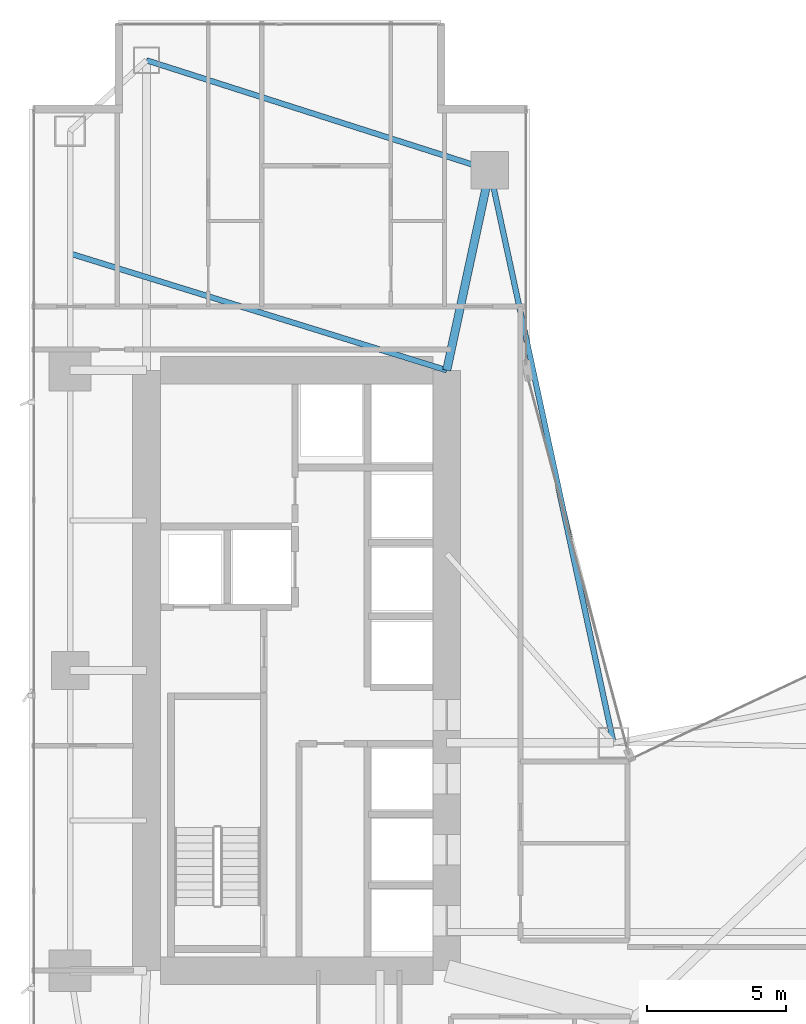
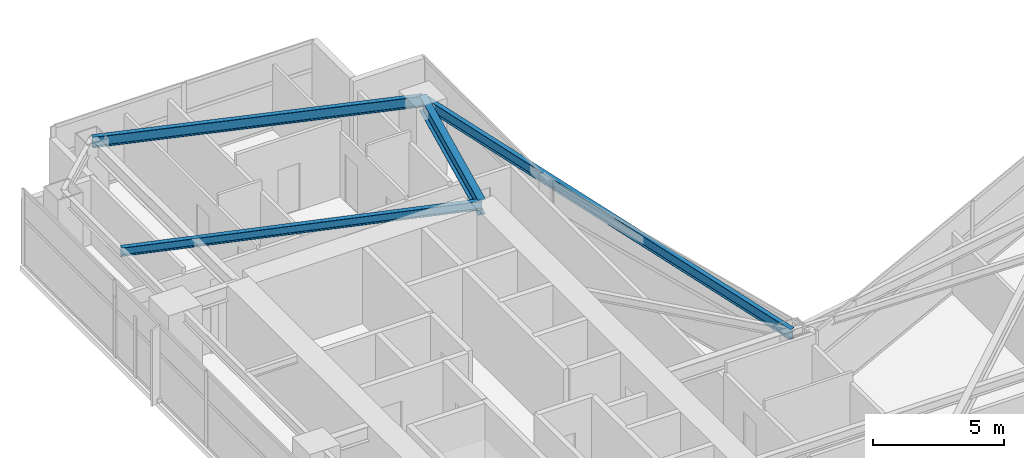
# One storey, part 17 of 29: 4 beams.
"""IFC4 building model written with IfcOpenShell, lengths in metres."""

from ifc_helpers import new_model, si_unit, direction, frame, origin, origin_2d, place, context, subcontext, project, spatial, i_section, extrude, material, material_profile, profile_set, type_object, element, save


model = new_model("IFC4")

# Units and contexts
model_context = context("Model", 3, precision=1e-05, world=origin(), true_north=direction((0.0, 1.0)))
body_context = subcontext(model_context, "Body", "Model", "MODEL_VIEW")
ifc_project = project(units=[si_unit("LENGTHUNIT", "METRE"), si_unit("AREAUNIT", "SQUARE_METRE"), si_unit("VOLUMEUNIT", "CUBIC_METRE"), si_unit("PLANEANGLEUNIT", "RADIAN"), si_unit("MASSUNIT", "GRAM", prefix="KILO")], contexts=[model_context])

# Site, building, storey
site_placement = place(None, origin())
site = spatial("IfcSite", under=ifc_project, at=site_placement, CompositionType="ELEMENT")
building_placement = place(site_placement, origin())
building = spatial("IfcBuilding", under=site, at=building_placement, Name="Calvorn Quay Hotel", CompositionType="ELEMENT")
storey_placement = place(building_placement, frame((0.0, 0.0, 34.60009765625)))
storey = spatial("IfcBuildingStorey", under=building, at=storey_placement, Name="L07", CompositionType="ELEMENT", Elevation=34.60009765625)

# Beams
ifc_material_1 = material(Name="Steel Q390GJC", Category="steel")
ifc_material_profile_1 = material_profile(ifc_material_1, i_section(OverallWidth=0.300048828125, OverallDepth=0.699951171875, WebThickness=0.012939453125, FlangeThickness=0.02392578125, FilletRadius=0.02392578125, at=origin_2d()), Name="HN700x300x13x24")
ifc_profile_set_1 = profile_set([ifc_material_profile_1], Name="Steel Q390GJC")
beam_type_1 = type_object("IfcBeamType", Name="BM-GIRD-MAIN", PredefinedType="BEAM", material=ifc_profile_set_1)
beam_1_placement = place(storey_placement, frame((16.550048828125, 45.60009765625, 3.18994140625), z_axis=(-0.210457140491, -0.97760308511, 0.0), x_axis=(0.97760308511, -0.210457140491, 0.0)))
element("IfcBeam", 1, at=beam_1_placement, inside=storey, type_object=beam_type_1, Name="Beam BG-L07-W6", PredefinedType="BEAM", context=body_context, shape_type="SweptSolid", body=[
    extrude(i_section(OverallWidth=0.300048828125, OverallDepth=0.699951171875, WebThickness=0.012939453125, FlangeThickness=0.02392578125, FilletRadius=0.02392578125, at=origin_2d()), origin(), (0.0, 0.0, 1.0), 7.365234375),
])
ifc_material_2 = material(Name="Steel Q355B", Category="steel")
ifc_material_profile_2 = material_profile(ifc_material_2, i_section(OverallWidth=0.199951171875, OverallDepth=0.39990234375, WebThickness=0.008056640625, FlangeThickness=0.012939453125, FilletRadius=0.01611328125, at=origin_2d()), Name="HN400x200x8x13")
ifc_profile_set_2 = profile_set([ifc_material_profile_2], Name="Steel Q355B")
beam_type_2 = type_object("IfcBeamType", Name="BM-JOIST-TYP", PredefinedType="JOIST", material=ifc_profile_set_2)
beam_2_placement = place(storey_placement, frame((1.449951171875, 42.60009765625, 3.33984375), z_axis=(0.955163702122, -0.296078202759, 0.0), x_axis=(0.296078202759, 0.955163702122, 0.0)))
element("IfcBeam", 2, at=beam_2_placement, inside=storey, type_object=beam_type_2, Name="Beam BJ-L07-W2", PredefinedType="JOIST", context=body_context, shape_type="SweptSolid", body=[
    extrude(i_section(OverallWidth=0.199951171875, OverallDepth=0.39990234375, WebThickness=0.008056640625, FlangeThickness=0.012939453125, FilletRadius=0.01611328125, at=origin_2d()), origin(), (0.0, 0.0, 1.0), 14.18603515625),
])
ifc_material_3 = material(Name="Steel Q355B", Category="steel")
ifc_material_profile_3 = material_profile(ifc_material_3, i_section(OverallWidth=0.199951171875, OverallDepth=0.5, WebThickness=0.010009765625, FlangeThickness=0.01611328125, FilletRadius=0.01611328125, at=origin_2d()), Name="HN500x200x10x16")
ifc_profile_set_3 = profile_set([ifc_material_profile_3], Name="Steel Q355B")
beam_type_3 = type_object("IfcBeamType", Name="BM-SPANDREL-Z1", PredefinedType="SPANDREL", material=ifc_profile_set_3)
beam_3_placement = place(storey_placement, frame((4.199951171875, 49.550048828125, 3.289794921875), z_axis=(0.952470702374, -0.304630203885, 0.0), x_axis=(0.304630203885, 0.952470702374, 0.0)))
element("IfcBeam", 3, at=beam_3_placement, inside=storey, type_object=beam_type_3, Name="Beam BSP-L07-W6", PredefinedType="SPANDREL", context=body_context, shape_type="SweptSolid", body=[
    extrude(i_section(OverallWidth=0.199951171875, OverallDepth=0.5, WebThickness=0.010009765625, FlangeThickness=0.01611328125, FilletRadius=0.01611328125, at=origin_2d()), origin(), (0.0, 0.0, 1.0), 12.96630859375),
])
beam_4_placement = place(storey_placement, frame((16.550048828125, 45.60009765625, 3.289794921875), z_axis=(0.211145848376, -0.977454567084, 0.0), x_axis=(0.977454567084, 0.211145848376, 0.0)))
element("IfcBeam", 4, at=beam_4_placement, inside=storey, type_object=beam_type_3, Name="Beam BSP-L07-W7", PredefinedType="SPANDREL", context=body_context, shape_type="SweptSolid", body=[
    extrude(i_section(OverallWidth=0.199951171875, OverallDepth=0.5, WebThickness=0.010009765625, FlangeThickness=0.01611328125, FilletRadius=0.01611328125, at=origin_2d()), origin(), (0.0, 0.0, 1.0), 21.0751953125),
])

save(model, "model.ifc")
